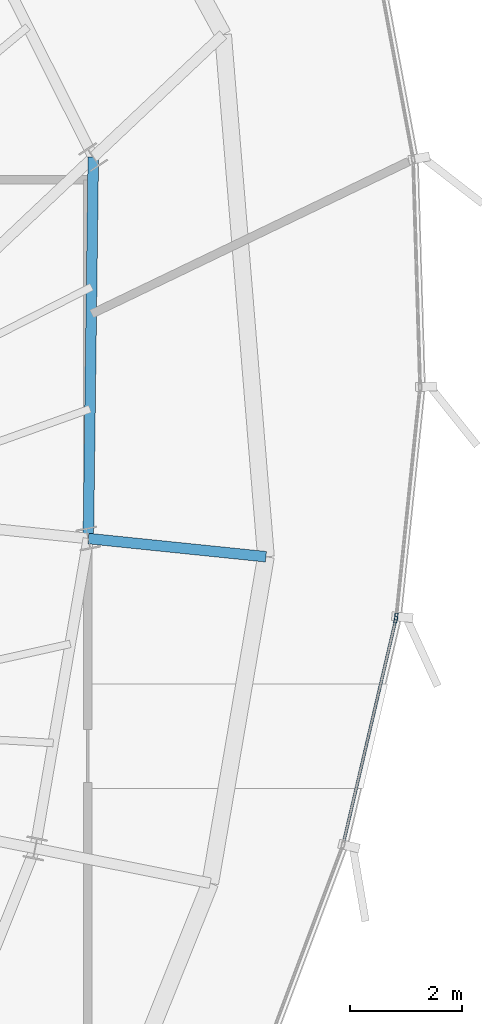
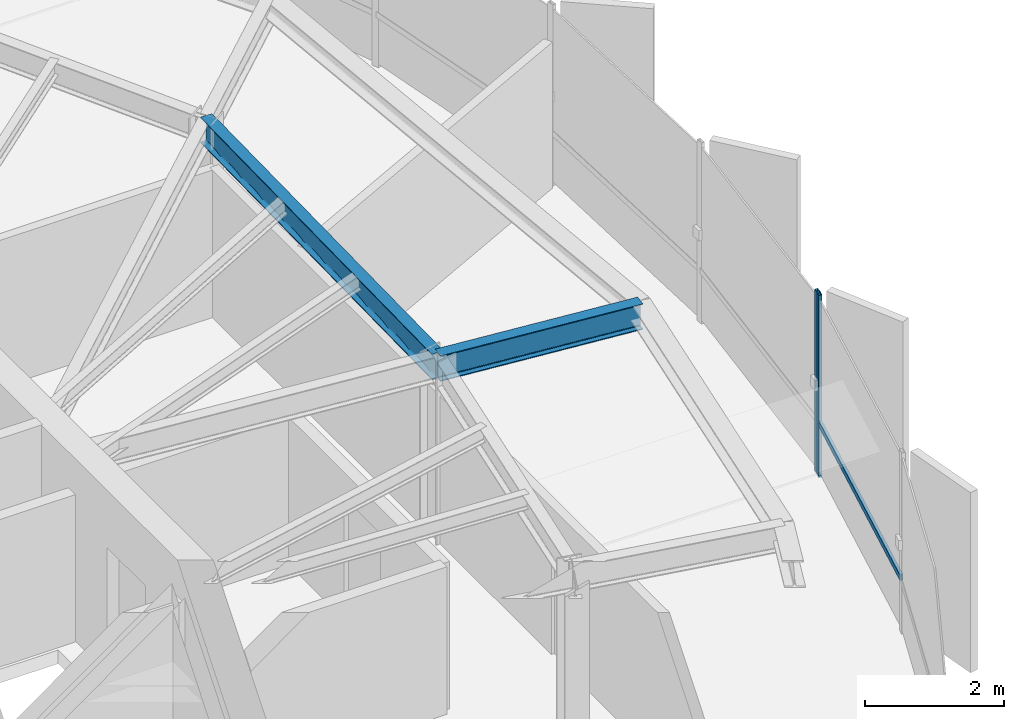
# One storey, part 15 of 33: 3 members, 2 beams, 2 elements without a shape of their own.
"""IFC4 building model written with IfcOpenShell, lengths in metres."""

from ifc_helpers import new_model, si_unit, direction, frame, origin, origin_2d, place, context, subcontext, project, spatial, hollow_rectangle, i_section, extrude, source, transform, mapped, material, layer, layer_set, material_profile, profile_set, type_object, element, aggregate, save


model = new_model("IFC4")

# Units and contexts
model_context = context("Model", 3, precision=1e-05, world=origin(), true_north=direction((0.0, 1.0)))
body_context = subcontext(model_context, "Body", "Model", "MODEL_VIEW")
ifc_project = project(units=[si_unit("LENGTHUNIT", "METRE"), si_unit("AREAUNIT", "SQUARE_METRE"), si_unit("VOLUMEUNIT", "CUBIC_METRE"), si_unit("PLANEANGLEUNIT", "RADIAN"), si_unit("MASSUNIT", "GRAM", prefix="KILO"), si_unit("THERMODYNAMICTEMPERATUREUNIT", "KELVIN")], contexts=[model_context])

# Site, building, storey
site_placement = place(None, origin())
site = spatial("IfcSite", under=ifc_project, at=site_placement, CompositionType="ELEMENT")
building_placement = place(site_placement, origin())
building = spatial("IfcBuilding", under=site, at=building_placement, Name="Kethvar Cultural Tower", CompositionType="ELEMENT")
storey_placement = place(building_placement, frame((0.0, 0.0, 266.35009765625)))
storey = spatial("IfcBuildingStorey", under=building, at=storey_placement, Name="L70", CompositionType="ELEMENT", Elevation=266.35009765625)

# Beams
ifc_material_1 = material(Name="Steel S355J2", Category="steel")
ifc_material_profile_1 = material_profile(ifc_material_1, i_section(OverallWidth=0.18994140625, OverallDepth=0.449951171875, WebThickness=0.009521484375, FlangeThickness=0.0146484375, FilletRadius=0.02099609375, at=origin_2d()), Name="Steel S355J2 — IPE450")
ifc_profile_set_1 = profile_set([ifc_material_profile_1], Name="Steel S355J2 — IPE450")
beam_type = type_object("IfcBeamType", Name="BM-IPE450", PredefinedType="BEAM", material=ifc_profile_set_1)
shared_shape_1 = source(origin(), body_context, "Body", "SweptSolid", [
    extrude(i_section(OverallWidth=0.18994140625, OverallDepth=0.449951171875, WebThickness=0.009521484375, FlangeThickness=0.0146484375, FilletRadius=0.02099609375, at=origin_2d()), origin(), (0.0, 0.0, 1.0), 3.199951171875),
])
beam_1_placement = place(storey_placement, frame((61.237060546875, 30.671630859375, 2.98291015625), z_axis=(0.994784019447, -0.10200369921, 0.0), x_axis=(0.10200369921, 0.994784019447, 0.0)))
element("IfcBeam", 1, at=beam_1_placement, inside=storey, type_object=beam_type, Name="L70 Perimeter Cantilever Beam RC-01", PredefinedType="BEAM", context=body_context, shape_type="MappedRepresentation", body=[
    mapped(shared_shape_1, transform((0.0, 0.0, 0.0), scale=1.0)),
])
shared_shape_2 = source(origin(), body_context, "Body", "SweptSolid", [
    extrude(i_section(OverallWidth=0.18994140625, OverallDepth=0.449951171875, WebThickness=0.009521484375, FlangeThickness=0.0146484375, FilletRadius=0.02099609375, at=origin_2d()), origin(), (0.0, 0.0, 1.0), 6.834716796875),
])
beam_2_placement = place(storey_placement, frame((61.237060546875, 30.671630859375, 2.98291015625), z_axis=(0.012966437445, 0.999915932216, 0.0), x_axis=(-0.999915932216, 0.012966437445, 0.0)))
element("IfcBeam", 2, at=beam_2_placement, inside=storey, type_object=beam_type, Name="L70 Column Ring Tie Beam CR-01", PredefinedType="BEAM", context=body_context, shape_type="MappedRepresentation", body=[
    mapped(shared_shape_2, transform((0.0, 0.0, 0.0), scale=1.0)),
])

# Curtain wall, member
ifc_material_2 = material(Name="Aluminium 6063-T6", Category="aluminium")
ifc_layer = layer(ifc_material_2, 0.179931640625, Name="Aluminium 6063-T6", Category="aluminium")
ifc_layer_set = layer_set([ifc_layer], Name="Aluminium 6063-T6 (180 mm)")
curtain_wall_type = type_object("IfcCurtainWallType", Name="CW-SYS-05-Z56", PredefinedType="NOTDEFINED", material=ifc_layer_set)
curtain_wall_1_placement = place(storey_placement, origin())
curtain_wall_1 = element("IfcCurtainWall", 3, at=curtain_wall_1_placement, inside=storey, type_object=curtain_wall_type, Name="L70 Curtain Wall Run 05", PredefinedType="NOTDEFINED")
ifc_material_profile_2 = material_profile(ifc_material_2, hollow_rectangle(XDim=0.054931640625, YDim=0.1201171875, WallThickness=0.00390625, at=origin_2d()), Name="Aluminium 6063-T6 — RHS120x55x4")
ifc_profile_set_2 = profile_set([ifc_material_profile_2], Name="Aluminium 6063-T6 — RHS120x55x4")
member_type_1 = type_object("IfcMemberType", Name="CW-SYS-05-Z56-MUL", PredefinedType="MULLION", material=ifc_profile_set_2)
shared_shape_3 = source(origin(), body_context, "Body", "SweptSolid", [
    extrude(hollow_rectangle(XDim=0.054931640625, YDim=0.1201171875, WallThickness=0.00390625, at=origin_2d()), origin(), (0.0, 0.0, 1.0), 3.2099609375),
])
member_1_placement = place(storey_placement, frame((66.746337890625, 29.21630859375, 0.0), z_axis=(0.0, 0.0, 1.0), x_axis=(-0.973662532443, 0.227994019476, 0.0)))
member_1 = element("IfcMember", 4, at=member_1_placement, type_object=member_type_1, Name="CW-L70-R05 Mullion 7", PredefinedType="MULLION", context=body_context, shape_type="MappedRepresentation", body=[
    mapped(shared_shape_3, transform((0.0, 0.0, 0.0), scale=1.0)),
])

curtain_wall_2_placement = place(storey_placement, origin())
curtain_wall_2 = element("IfcCurtainWall", 5, at=curtain_wall_2_placement, inside=storey, type_object=curtain_wall_type, Name="L70 Curtain Wall Run 06", PredefinedType="NOTDEFINED")
member_2_placement = place(storey_placement, frame((66.756103515625, 29.2744140625, 0.0), z_axis=(0.0, 0.0, 1.0), x_axis=(-0.994677670468, 0.103035585466, 0.0)))
member_2 = element("IfcMember", 6, at=member_2_placement, type_object=member_type_1, Name="CW-L70-R06 Mullion 1", PredefinedType="MULLION", context=body_context, shape_type="MappedRepresentation", body=[
    mapped(shared_shape_3, transform((0.0, 0.0, 0.0), scale=1.0)),
])
aggregate(curtain_wall_2, [member_2])

# Member
ifc_material_profile_3 = material_profile(ifc_material_2, hollow_rectangle(XDim=0.050048828125, YDim=0.10009765625, WallThickness=0.00390625, at=origin_2d()), Name="Aluminium 6063-T6 — RHS100x50x4")
ifc_profile_set_3 = profile_set([ifc_material_profile_3], Name="Aluminium 6063-T6 — RHS100x50x4")
member_type_2 = type_object("IfcMemberType", Name="CW-SYS-05-Z56-TRN", PredefinedType="USERDEFINED", material=ifc_profile_set_3)
shared_shape_4 = source(origin(), body_context, "Body", "SweptSolid", [
    extrude(hollow_rectangle(XDim=0.050048828125, YDim=0.10009765625, WallThickness=0.00390625, at=origin_2d()), origin(), (0.0, 0.0, 1.0), 4.097412109375),
])
member_3_placement = place(storey_placement, frame((65.811279296875, 25.22314453125, 0.949951171875), z_axis=(0.22802628918, 0.973654975565, 0.0), x_axis=(-0.973654975565, 0.22802628918, 0.0)))
member_3 = element("IfcMember", 7, at=member_3_placement, type_object=member_type_2, Name="CW-L70-R05 Transom 6", ObjectType="TRANSOM", PredefinedType="USERDEFINED", context=body_context, shape_type="MappedRepresentation", body=[
    mapped(shared_shape_4, transform((0.0, 0.0, 0.0), scale=1.0)),
])

aggregate(curtain_wall_1, [member_1, member_3])

save(model, "model.ifc")
